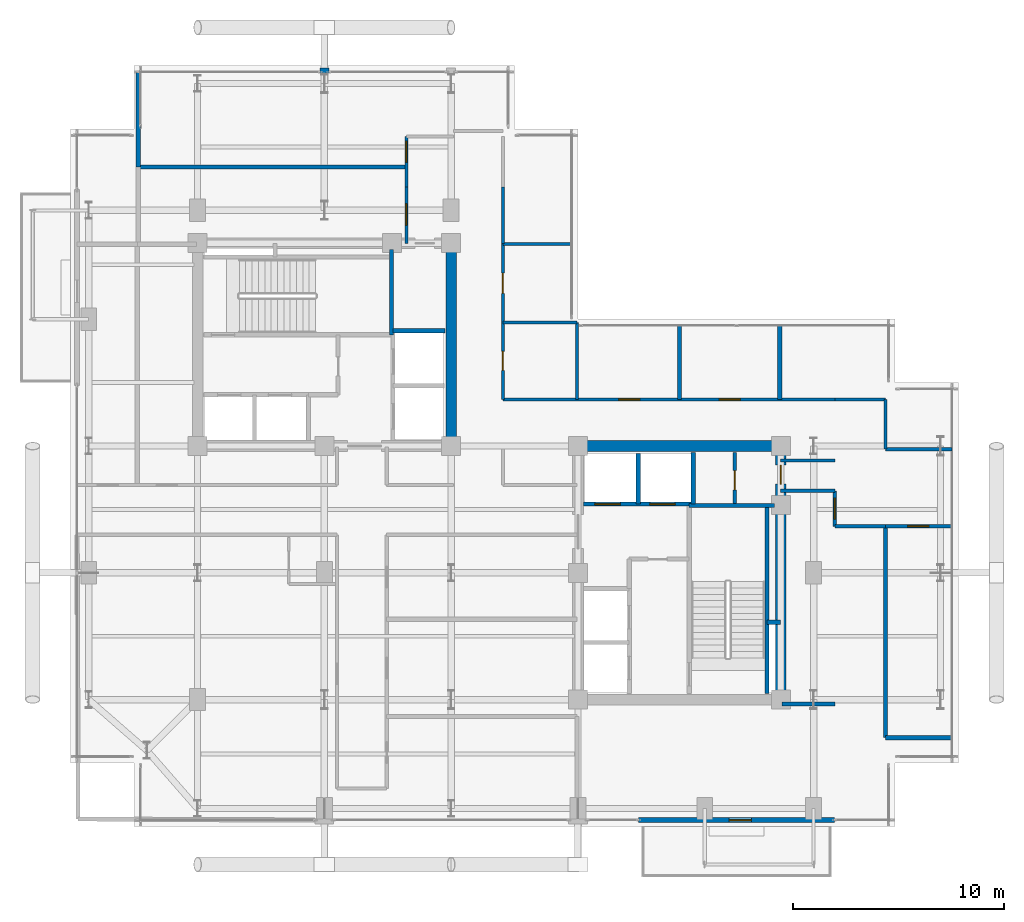
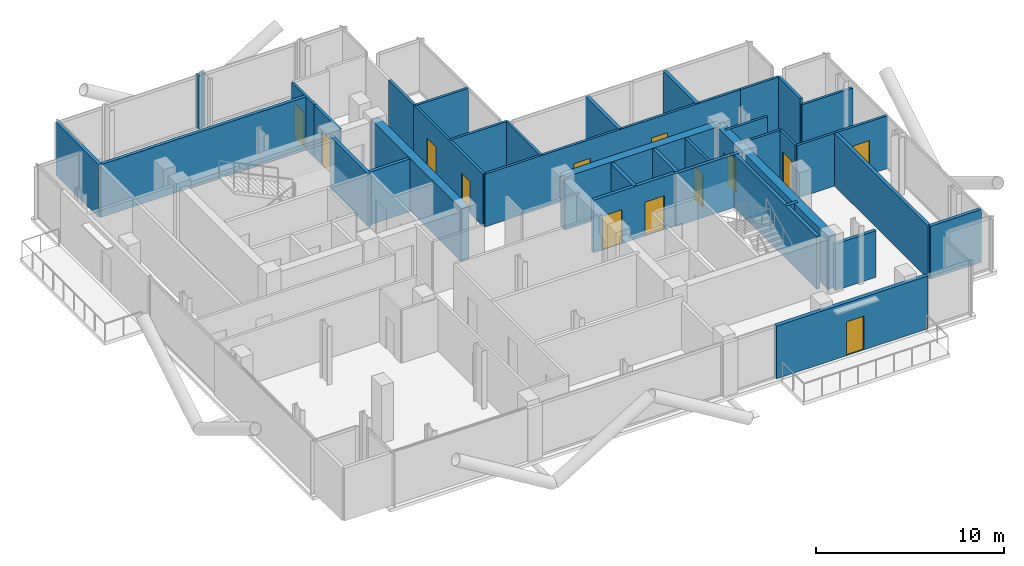
# One storey, part 21 of 25: 37 walls, 13 doors, 13 openings.
"""IFC4 building model written with IfcOpenShell, lengths in metres."""

from ifc_helpers import new_model, si_unit, direction, frame, frame_2d, origin, place, context, subcontext, project, spatial, rectangle, extrude, material, layer, layer_set, type_object, element, fill, save


model = new_model("IFC4")

# Units and contexts
model_context = context("Model", 3, precision=1e-05, world=origin(), true_north=direction((0.0, 1.0)))
body_context = subcontext(model_context, "Body", "Model", "MODEL_VIEW")
ifc_project = project(units=[si_unit("LENGTHUNIT", "METRE"), si_unit("AREAUNIT", "SQUARE_METRE"), si_unit("VOLUMEUNIT", "CUBIC_METRE"), si_unit("PLANEANGLEUNIT", "RADIAN"), si_unit("MASSUNIT", "GRAM", prefix="KILO"), si_unit("THERMODYNAMICTEMPERATUREUNIT", "KELVIN"), si_unit("POWERUNIT", "WATT")], contexts=[model_context])

# Site, building, storey
site_placement = place(None, origin())
site = spatial("IfcSite", under=ifc_project, at=site_placement, CompositionType="ELEMENT")
building_placement = place(site_placement, origin())
building = spatial("IfcBuilding", under=site, at=building_placement, Name="Svarakhadi Broadcast Tower", CompositionType="ELEMENT")
storey_placement = place(building_placement, frame((0.0, 0.0, 231.14990234375)))
storey = spatial("IfcBuildingStorey", under=building, at=storey_placement, Name="L57", CompositionType="ELEMENT", Elevation=231.14990234375)

# Walls
ifc_material_1 = material(Name="Double-Stud Acoustic Studio Partition STC-62", Category="gypsum")
ifc_layer_1 = layer(ifc_material_1, 0.199951171875)
ifc_layer_set_1 = layer_set([ifc_layer_1], Name="Double-Stud Acoustic Studio Partition STC-62")
wall_type_1 = type_object("IfcWallType", Name="Wall_Acoust_200", PredefinedType="PARTITIONING", material=ifc_layer_set_1)
for number, where, z_axis, x_axis, name in (
    (1, (28.800048828125, 20.199951171875, 0.0), (0.0, 0.0, 1.0), (0.0, 1.0, 0.0), "L57 Harbour Sky Club Reading Room Wall"),
    (2, (33.550048828125, 20.199951171875, 0.0), (0.0, 0.0, 1.0), (0.0, 1.0, 0.0), "L57 Private Sommelier Tasting Pantry Wall"),
):
    element("IfcWall", number, at=place(storey_placement, frame(where, z_axis=z_axis, x_axis=x_axis)), inside=storey, type_object=wall_type_1, Name=name, PredefinedType="PARTITIONING", context=body_context, shape_type="SweptSolid", body=[
        extrude(rectangle(XDim=3.5, YDim=0.199951171875, at=frame_2d((1.75, 0.0))), origin(), (0.0, 0.0, 1.0), 3.425048828125),
    ])
wall_1_placement = place(storey_placement, frame((33.64990234375, 5.800048828125, 0.0), z_axis=(0.0, 0.0, 1.0), x_axis=(1.0, 0.0, 0.0)))
element("IfcWall", 3, at=wall_1_placement, inside=storey, type_object=wall_type_1, Name="L57 Harbour Club Reading Salon Wall", PredefinedType="PARTITIONING", context=body_context, shape_type="SweptSolid", body=[
    extrude(rectangle(XDim=2.5, YDim=0.199951171875, at=frame_2d((1.25, 0.0))), origin(), (0.0, 0.0, 1.0), 3.01708984375),
])
wall_2_placement = place(storey_placement, frame((38.550048828125, 4.199951171875, 0.0), z_axis=(0.0, 0.0, 1.0), x_axis=(1.0, 0.0, 0.0)))
element("IfcWall", 4, at=wall_2_placement, inside=storey, type_object=wall_type_1, Name="L57 Sky Wellness Massage Lounge Wall", PredefinedType="PARTITIONING", context=body_context, shape_type="SweptSolid", body=[
    extrude(rectangle(XDim=3.14990234375, YDim=0.199951171875, at=frame_2d((1.574951171875, 0.0))), origin(), (0.0, 0.0, 1.0), 3.425048828125),
])
wall_3_placement = place(storey_placement, frame((38.550048828125, 4.199951171875, 0.0), z_axis=(0.0, 0.0, 1.0), x_axis=(0.0, 1.0, 0.0)))
element("IfcWall", 5, at=wall_3_placement, inside=storey, type_object=wall_type_1, Name="L57 Sky Wellness Massage Lounge Wall", PredefinedType="PARTITIONING", context=body_context, shape_type="SweptSolid", body=[
    extrude(rectangle(XDim=10.0, YDim=0.199951171875, at=frame_2d((5.0, 0.0))), origin(), (0.0, 0.0, 1.0), 3.425048828125),
])
wall_4_placement = place(storey_placement, frame((3.199951171875, 31.199951171875, 0.0), z_axis=(0.0, 0.0, 1.0), x_axis=(1.0, 0.0, 0.0)))
element("IfcWall", 6, at=wall_4_placement, inside=storey, type_object=wall_type_1, Name="L57 Hotel Pilates and Fitness Studio Wall", PredefinedType="PARTITIONING", context=body_context, shape_type="SweptSolid", body=[
    extrude(rectangle(XDim=12.679931640625, YDim=0.199951171875, at=frame_2d((6.33984375, 0.0))), origin(), (0.0, 0.0, 1.0), 3.425048828125),
])
wall_5_placement = place(storey_placement, frame((3.199951171875, 31.199951171875, 0.0), z_axis=(0.0, 0.0, 1.0), x_axis=(0.0, 1.0, 0.0)))
element("IfcWall", 7, at=wall_5_placement, inside=storey, type_object=wall_type_1, Name="L57 Conference Catering Pantry Wall", PredefinedType="PARTITIONING", context=body_context, shape_type="SweptSolid", body=[
    extrude(rectangle(XDim=4.5, YDim=0.199951171875, at=frame_2d((2.25, 0.0))), origin(), (0.0, 0.0, 1.0), 3.425048828125),
])

# Wall, opening, door
ifc_material_2 = material(Name="Concrete C40/50 (IS 456 M50)", Category="concrete")
ifc_layer_2 = layer(ifc_material_2, 0.239990234375)
ifc_layer_set_2 = layer_set([ifc_layer_2], Name="Concrete C40/50 (IS 456 M50)")
wall_type_2 = type_object("IfcWallType", Name="Wall_Ext_240", PredefinedType="SOLIDWALL", material=ifc_layer_set_2)
wall_6_placement = place(storey_placement, frame((36.14501953125, 0.300048828125, 0.0), z_axis=(0.0, 0.0, 1.0), x_axis=(-1.0, 0.0, 0.0)))
wall_6 = element("IfcWall", 8, at=wall_6_placement, inside=storey, type_object=wall_type_2, Name="L57 South Tree Balcony Spandrel Wall", PredefinedType="SOLIDWALL", context=body_context, shape_type="SweptSolid", body=[
    extrude(rectangle(XDim=9.2900390625, YDim=0.239990234375, at=frame_2d((4.64501953125, 0.0))), origin(), (0.0, 0.0, 1.0), 3.425048828125),
])
opening_1_placement = place(wall_6_placement, frame((3.945068359375, 0.0, 0.0)))
opening_1 = element("IfcOpeningElement", 9, at=opening_1_placement, cuts=wall_6, Name="Opening ED-05", PredefinedType="OPENING", context=body_context, shape_type="SweptSolid", body=[
    extrude(rectangle(XDim=1.050048828125, YDim=2.199951171875, at=frame_2d((0.52490234375, 1.10009765625))), frame((0.0, 0.1298828125, 0.0), z_axis=(0.0, -1.0, 0.0), x_axis=(1.0, 0.0, 0.0)), (0.0, 0.0, 1.0), 0.260009765625),
])
ifc_material_3 = material(Name="Anodised Bronze Aluminium AA 6063-T6", Category="aluminium")
door_type_1 = type_object("IfcDoorType", Name="Door_Ext_ED05", OperationType="SINGLE_SWING_LEFT", PredefinedType="DOOR", material=ifc_material_3)
door_1_placement = place(opening_1_placement, origin())
door_1 = element("IfcDoor", 10, at=door_1_placement, inside=storey, type_object=door_type_1, Name="L57 South Tree Balcony Door", OperationType="SINGLE_SWING_LEFT", OverallHeight=2.199951171875, OverallWidth=1.050048828125, PredefinedType="DOOR", context=body_context, shape_type="SweptSolid", body=[
    extrude(rectangle(XDim=1.050048828125, YDim=2.199951171875, at=frame_2d((0.52490234375, 1.10009765625))), frame((0.0, 0.02490234375, 0.0), z_axis=(0.0, -1.0, 0.0), x_axis=(1.0, 0.0, 0.0)), (0.0, 0.0, 1.0), 0.050048828125),
])
fill(opening_1, door_1)

# Walls
wall_7_placement = place(storey_placement, frame((11.784912109375, 35.760009765625, 0.0), z_axis=(0.0, 0.0, 1.0), x_axis=(1.0, 0.0, 0.0)))
element("IfcWall", 11, at=wall_7_placement, inside=storey, type_object=wall_type_2, Name="L57 Perimeter Bronze Spandrel Closure Wall 01", PredefinedType="SOLIDWALL", context=body_context, shape_type="SweptSolid", body=[
    extrude(rectangle(XDim=0.43017578125, YDim=0.239990234375, at=frame_2d((0.215087890625, 0.0))), origin(), (0.0, 0.0, 1.0), 3.425048828125),
])
ifc_layer_3 = layer(ifc_material_2, 0.199951171875)
ifc_layer_set_3 = layer_set([ifc_layer_3], Name="Concrete C40/50 (IS 456 M50)")
wall_type_3 = type_object("IfcWallType", Name="Wall_Fire_200", PredefinedType="SOLIDWALL", material=ifc_layer_set_3)
wall_8_placement = place(storey_placement, frame((32.93994140625, 9.659912109375, 0.0), z_axis=(0.0, 0.0, 1.0), x_axis=(1.0, 0.0, 0.0)))
element("IfcWall", 12, at=wall_8_placement, inside=storey, type_object=wall_type_3, Name="L57 HV Busduct Riser Shaft North Wall", PredefinedType="SOLIDWALL", context=body_context, shape_type="SweptSolid", body=[
    extrude(rectangle(XDim=0.64013671875, YDim=0.199951171875, at=frame_2d((0.320068359375, 0.0))), origin(), (0.0, 0.0, 1.0), 3.425048828125),
])

# Wall, opening, door
ifc_material_4 = material(Name="Autoclaved Aerated Concrete Blockwork 150 mm", Category="masonry")
ifc_layer_4 = layer(ifc_material_4, 0.14990234375)
ifc_layer_set_4 = layer_set([ifc_layer_4], Name="Autoclaved Aerated Concrete Blockwork 150 mm")
wall_type_4 = type_object("IfcWallType", Name="Wall_Part_150", PredefinedType="PARTITIONING", material=ifc_layer_set_4)
wall_9_placement = place(storey_placement, frame((31.419921875, 15.280029296875, 0.0), z_axis=(0.0, 0.0, 1.0), x_axis=(0.0, 1.0, 0.0)))
wall_9 = element("IfcWall", 13, at=wall_9_placement, inside=storey, type_object=wall_type_4, Name="L57 Core Service Split Wall", PredefinedType="PARTITIONING", context=body_context, shape_type="SweptSolid", body=[
    extrude(rectangle(XDim=2.419921875, YDim=0.14990234375, at=frame_2d((1.2099609375, 0.0))), origin(), (0.0, 0.0, 1.0), 3.425048828125),
])
opening_2_placement = place(wall_9_placement, frame((0.64990234375, 0.0, 0.0)))
opening_2 = element("IfcOpeningElement", 14, at=opening_2_placement, cuts=wall_9, Name="Opening D-04", PredefinedType="OPENING", context=body_context, shape_type="SweptSolid", body=[
    extrude(rectangle(XDim=0.89990234375, YDim=2.14990234375, at=frame_2d((0.449951171875, 1.074951171875))), frame((0.0, 0.0849609375, 0.0), z_axis=(0.0, -1.0, 0.0), x_axis=(1.0, 0.0, 0.0)), (0.0, 0.0, 1.0), 0.169921875),
])
ifc_material_5 = material(Name="Galvanised Powder-Coated Fire-Rated Steel Leaf", Category="steel")
door_type_2 = type_object("IfcDoorType", Name="Door_Fire_D04", OperationType="SINGLE_SWING_RIGHT", PredefinedType="DOOR", material=ifc_material_5)
door_2_placement = place(opening_2_placement, origin())
door_2 = element("IfcDoor", 15, at=door_2_placement, inside=storey, type_object=door_type_2, Name="L57 Core Inner Riser Store Door", OperationType="SINGLE_SWING_RIGHT", OverallHeight=2.14990234375, OverallWidth=0.89990234375, PredefinedType="DOOR", context=body_context, shape_type="SweptSolid", body=[
    extrude(rectangle(XDim=0.89990234375, YDim=2.14990234375, at=frame_2d((0.449951171875, 1.074951171875))), frame((0.0, 0.02490234375, 0.0), z_axis=(0.0, -1.0, 0.0), x_axis=(1.0, 0.0, 0.0)), (0.0, 0.0, 1.0), 0.050048828125),
])
fill(opening_2, door_2)

wall_10_placement = place(storey_placement, frame((15.8798828125, 27.580078125, 0.0), z_axis=(0.0, 0.0, 1.0), x_axis=(0.0, 1.0, 0.0)))
wall_10 = element("IfcWall", 16, at=wall_10_placement, inside=storey, type_object=wall_type_4, Name="L57 Upper Tower Concourse Wall", PredefinedType="PARTITIONING", context=body_context, shape_type="SweptSolid", body=[
    extrude(rectangle(XDim=2.669921875, YDim=0.14990234375, at=frame_2d((1.3349609375, 0.0))), origin(), (0.0, 0.0, 1.0), 3.425048828125),
])
opening_3_placement = place(wall_10_placement, frame((0.8701171875, 0.0, 0.0)))
opening_3 = element("IfcOpeningElement", 17, at=opening_3_placement, cuts=wall_10, Name="Opening D-09", PredefinedType="OPENING", context=body_context, shape_type="SweptSolid", body=[
    extrude(rectangle(XDim=1.0, YDim=2.199951171875, at=frame_2d((0.5, 1.10009765625))), frame((0.0, 0.0849609375, 0.0), z_axis=(0.0, -1.0, 0.0), x_axis=(1.0, 0.0, 0.0)), (0.0, 0.0, 1.0), 0.169921875),
])
ifc_material_6 = material(Name="Solid-Core Teak Veneer Acoustic Timber Leaf", Category="wood")
door_type_3 = type_object("IfcDoorType", Name="Door_Suite_D09", OperationType="SINGLE_SWING_RIGHT", PredefinedType="DOOR", material=ifc_material_6)
door_3_placement = place(opening_3_placement, origin())
door_3 = element("IfcDoor", 18, at=door_3_placement, inside=storey, type_object=door_type_3, Name="L57 Hotel Pilates and Fitness Studio Door", OperationType="SINGLE_SWING_RIGHT", OverallHeight=2.199951171875, OverallWidth=1.0, PredefinedType="DOOR", context=body_context, shape_type="SweptSolid", body=[
    extrude(rectangle(XDim=1.0, YDim=2.199951171875, at=frame_2d((0.5, 1.10009765625))), frame((0.0, 0.02490234375, 0.0), z_axis=(0.0, -1.0, 0.0), x_axis=(1.0, 0.0, 0.0)), (0.0, 0.0, 1.0), 0.050048828125),
])
fill(opening_3, door_3)

wall_11_placement = place(storey_placement, frame((15.8798828125, 30.25, 0.0), z_axis=(0.0, 0.0, 1.0), x_axis=(0.0, 1.0, 0.0)))
wall_11 = element("IfcWall", 19, at=wall_11_placement, inside=storey, type_object=wall_type_4, Name="L57 Upper Tower Concourse Wall", PredefinedType="PARTITIONING", context=body_context, shape_type="SweptSolid", body=[
    extrude(rectangle(XDim=2.39990234375, YDim=0.14990234375, at=frame_2d((1.199951171875, 0.0))), origin(), (0.0, 0.0, 1.0), 3.425048828125),
])
opening_4_placement = place(wall_11_placement, frame((1.175048828125, 0.0, 0.0)))
opening_4 = element("IfcOpeningElement", 20, at=opening_4_placement, cuts=wall_11, Name="Opening D-09", PredefinedType="OPENING", context=body_context, shape_type="SweptSolid", body=[
    extrude(rectangle(XDim=1.0, YDim=2.199951171875, at=frame_2d((0.5, 1.10009765625))), frame((0.0, 0.0849609375, 0.0), z_axis=(0.0, -1.0, 0.0), x_axis=(1.0, 0.0, 0.0)), (0.0, 0.0, 1.0), 0.169921875),
])
door_4_placement = place(opening_4_placement, origin())
door_4 = element("IfcDoor", 21, at=door_4_placement, inside=storey, type_object=door_type_3, Name="L57 Conference Catering Pantry Door", OperationType="SINGLE_SWING_RIGHT", OverallHeight=2.199951171875, OverallWidth=1.0, PredefinedType="DOOR", context=body_context, shape_type="SweptSolid", body=[
    extrude(rectangle(XDim=1.0, YDim=2.199951171875, at=frame_2d((0.5, 1.10009765625))), frame((0.0, 0.02490234375, 0.0), z_axis=(0.0, -1.0, 0.0), x_axis=(1.0, 0.0, 0.0)), (0.0, 0.0, 1.0), 0.050048828125),
])
fill(opening_4, door_4)

# Wall
wall_12_placement = place(storey_placement, frame((20.449951171875, 30.25, 0.0), z_axis=(0.0, 0.0, 1.0), x_axis=(0.0, -1.0, 0.0)))
element("IfcWall", 22, at=wall_12_placement, inside=storey, type_object=wall_type_4, Name="L57 Upper Tower Concourse Wall", PredefinedType="PARTITIONING", context=body_context, shape_type="SweptSolid", body=[
    extrude(rectangle(XDim=2.669921875, YDim=0.14990234375, at=frame_2d((1.3349609375, 0.0))), origin(), (0.0, 0.0, 1.0), 3.425048828125),
])

# Wall, openings, doors
wall_13_placement = place(storey_placement, frame((20.449951171875, 27.580078125, 0.0), z_axis=(0.0, 0.0, 1.0), x_axis=(0.0, -1.0, 0.0)))
wall_13 = element("IfcWall", 23, at=wall_13_placement, inside=storey, type_object=wall_type_4, Name="L57 Upper Tower Concourse Wall", PredefinedType="PARTITIONING", context=body_context, shape_type="SweptSolid", body=[
    extrude(rectangle(XDim=7.380126953125, YDim=0.14990234375, at=frame_2d((3.68994140625, 0.0))), origin(), (0.0, 0.0, 1.0), 3.425048828125),
])
opening_5_placement = place(wall_13_placement, frame((5.10498046875, 0.0, 0.0)))
opening_5 = element("IfcOpeningElement", 24, at=opening_5_placement, cuts=wall_13, Name="Opening D-12", PredefinedType="OPENING", context=body_context, shape_type="SweptSolid", body=[
    extrude(rectangle(XDim=0.89990234375, YDim=2.10009765625, at=frame_2d((0.449951171875, 1.050048828125))), frame((0.0, 0.0849609375, 0.0), z_axis=(0.0, -1.0, 0.0), x_axis=(1.0, 0.0, 0.0)), (0.0, 0.0, 1.0), 0.169921875),
])
opening_6_placement = place(wall_13_placement, frame((1.405029296875, 0.0, 0.0)))
opening_6 = element("IfcOpeningElement", 25, at=opening_6_placement, cuts=wall_13, Name="Opening D-07", PredefinedType="OPENING", context=body_context, shape_type="SweptSolid", body=[
    extrude(rectangle(XDim=0.949951171875, YDim=2.14990234375, at=frame_2d((0.47509765625, 1.074951171875))), frame((0.0, 0.0849609375, 0.0), z_axis=(0.0, -1.0, 0.0), x_axis=(1.0, 0.0, 0.0)), (0.0, 0.0, 1.0), 0.169921875),
])
door_type_4 = type_object("IfcDoorType", Name="Door_Office_D07", OperationType="SINGLE_SWING_RIGHT", PredefinedType="DOOR", material=ifc_material_6)
door_5_placement = place(opening_6_placement, origin())
door_5 = element("IfcDoor", 26, at=door_5_placement, inside=storey, type_object=door_type_4, Name="L57 Hotel Butler Service Pantry Door", OperationType="SINGLE_SWING_RIGHT", OverallHeight=2.14990234375, OverallWidth=0.949951171875, PredefinedType="DOOR", context=body_context, shape_type="SweptSolid", body=[
    extrude(rectangle(XDim=0.949951171875, YDim=2.14990234375, at=frame_2d((0.47509765625, 1.074951171875))), frame((0.0, 0.02490234375, 0.0), z_axis=(0.0, -1.0, 0.0), x_axis=(1.0, 0.0, 0.0)), (0.0, 0.0, 1.0), 0.050048828125),
])
fill(opening_6, door_5)
door_type_5 = type_object("IfcDoorType", Name="Door_WC_D01", OperationType="SINGLE_SWING_LEFT", PredefinedType="DOOR", material=ifc_material_6)
door_6_placement = place(opening_5_placement, origin())
door_6 = element("IfcDoor", 27, at=door_6_placement, inside=storey, type_object=door_type_5, Name="L57 Accessible Visitor Washroom WC Door", OperationType="SINGLE_SWING_LEFT", OverallHeight=2.10009765625, OverallWidth=0.89990234375, PredefinedType="DOOR", context=body_context, shape_type="SweptSolid", body=[
    extrude(rectangle(XDim=0.89990234375, YDim=2.10009765625, at=frame_2d((0.449951171875, 1.050048828125))), frame((0.0, 0.02490234375, 0.0), z_axis=(0.0, -1.0, 0.0), x_axis=(1.0, 0.0, 0.0)), (0.0, 0.0, 1.0), 0.050048828125),
])
fill(opening_5, door_6)

wall_14_placement = place(storey_placement, frame((20.449951171875, 20.199951171875, 0.0), z_axis=(0.0, 0.0, 1.0), x_axis=(1.0, 0.0, 0.0)))
wall_14 = element("IfcWall", 28, at=wall_14_placement, inside=storey, type_object=wall_type_4, Name="L57 Upper Tower Concourse Wall", PredefinedType="PARTITIONING", context=body_context, shape_type="SweptSolid", body=[
    extrude(rectangle(XDim=15.699951171875, YDim=0.14990234375, at=frame_2d((7.85009765625, 0.0))), origin(), (0.0, 0.0, 1.0), 3.425048828125),
])
opening_7_placement = place(wall_14_placement, frame((5.47509765625, 0.0, 0.0)))
opening_7 = element("IfcOpeningElement", 29, at=opening_7_placement, cuts=wall_14, Name="Opening D-08", PredefinedType="OPENING", context=body_context, shape_type="SweptSolid", body=[
    extrude(rectangle(XDim=1.0, YDim=2.199951171875, at=frame_2d((0.5, 1.10009765625))), frame((0.0, 0.0849609375, 0.0), z_axis=(0.0, -1.0, 0.0), x_axis=(1.0, 0.0, 0.0)), (0.0, 0.0, 1.0), 0.169921875),
])
opening_8_placement = place(wall_14_placement, frame((10.22509765625, 0.0, 0.0)))
opening_8 = element("IfcOpeningElement", 30, at=opening_8_placement, cuts=wall_14, Name="Opening D-09", PredefinedType="OPENING", context=body_context, shape_type="SweptSolid", body=[
    extrude(rectangle(XDim=1.0, YDim=2.199951171875, at=frame_2d((0.5, 1.10009765625))), frame((0.0, 0.0849609375, 0.0), z_axis=(0.0, -1.0, 0.0), x_axis=(1.0, 0.0, 0.0)), (0.0, 0.0, 1.0), 0.169921875),
])
door_type_6 = type_object("IfcDoorType", Name="Door_Suite_D08", OperationType="SINGLE_SWING_LEFT", PredefinedType="DOOR", material=ifc_material_6)
door_7_placement = place(opening_7_placement, origin())
door_7 = element("IfcDoor", 31, at=door_7_placement, inside=storey, type_object=door_type_6, Name="L57 Harbour Sky Club Reading Room Door", OperationType="SINGLE_SWING_LEFT", OverallHeight=2.199951171875, OverallWidth=1.0, PredefinedType="DOOR", context=body_context, shape_type="SweptSolid", body=[
    extrude(rectangle(XDim=1.0, YDim=2.199951171875, at=frame_2d((0.5, 1.10009765625))), frame((0.0, 0.02490234375, 0.0), z_axis=(0.0, -1.0, 0.0), x_axis=(1.0, 0.0, 0.0)), (0.0, 0.0, 1.0), 0.050048828125),
])
fill(opening_7, door_7)
door_8_placement = place(opening_8_placement, origin())
door_8 = element("IfcDoor", 32, at=door_8_placement, inside=storey, type_object=door_type_3, Name="L57 Private Sommelier Tasting Pantry Door", OperationType="SINGLE_SWING_RIGHT", OverallHeight=2.199951171875, OverallWidth=1.0, PredefinedType="DOOR", context=body_context, shape_type="SweptSolid", body=[
    extrude(rectangle(XDim=1.0, YDim=2.199951171875, at=frame_2d((0.5, 1.10009765625))), frame((0.0, 0.02490234375, 0.0), z_axis=(0.0, -1.0, 0.0), x_axis=(1.0, 0.0, 0.0)), (0.0, 0.0, 1.0), 0.050048828125),
])
fill(opening_8, door_8)

# Walls
wall_15_placement = place(storey_placement, frame((36.14990234375, 20.199951171875, 0.0), z_axis=(0.0, 0.0, 1.0), x_axis=(1.0, 0.0, 0.0)))
element("IfcWall", 33, at=wall_15_placement, inside=storey, type_object=wall_type_4, Name="L57 Upper Tower Concourse Wall", PredefinedType="PARTITIONING", context=body_context, shape_type="SweptSolid", body=[
    extrude(rectangle(XDim=2.400146484375, YDim=0.14990234375, at=frame_2d((1.2001953125, 0.0))), origin(), (0.0, 0.0, 1.0), 3.425048828125),
])
wall_16_placement = place(storey_placement, frame((38.550048828125, 20.199951171875, 0.0), z_axis=(0.0, 0.0, 1.0), x_axis=(0.0, -1.0, 0.0)))
element("IfcWall", 34, at=wall_16_placement, inside=storey, type_object=wall_type_4, Name="L57 Upper Tower Concourse Wall", PredefinedType="PARTITIONING", context=body_context, shape_type="SweptSolid", body=[
    extrude(rectangle(XDim=2.349853515625, YDim=0.14990234375, at=frame_2d((1.1748046875, 0.0))), origin(), (0.0, 0.0, 1.0), 3.425048828125),
])
wall_17_placement = place(storey_placement, frame((38.550048828125, 17.85009765625, 0.0), z_axis=(0.0, 0.0, 1.0), x_axis=(1.0, 0.0, 0.0)))
element("IfcWall", 35, at=wall_17_placement, inside=storey, type_object=wall_type_4, Name="L57 Upper Tower Concourse Wall", PredefinedType="PARTITIONING", context=body_context, shape_type="SweptSolid", body=[
    extrude(rectangle(XDim=3.14990234375, YDim=0.14990234375, at=frame_2d((1.574951171875, 0.0))), origin(), (0.0, 0.0, 1.0), 3.01708984375),
])

# Wall, opening, door
wall_18_placement = place(storey_placement, frame((41.699951171875, 14.199951171875, 0.0), z_axis=(0.0, 0.0, 1.0), x_axis=(-1.0, 0.0, 0.0)))
wall_18 = element("IfcWall", 36, at=wall_18_placement, inside=storey, type_object=wall_type_4, Name="L57 Upper Tower Concourse Wall", PredefinedType="PARTITIONING", context=body_context, shape_type="SweptSolid", body=[
    extrude(rectangle(XDim=3.14990234375, YDim=0.14990234375, at=frame_2d((1.574951171875, 0.0))), origin(), (0.0, 0.0, 1.0), 3.425048828125),
])
opening_9_placement = place(wall_18_placement, frame((1.10009765625, 0.0, 0.0)))
opening_9 = element("IfcOpeningElement", 37, at=opening_9_placement, cuts=wall_18, Name="Opening D-08", PredefinedType="OPENING", context=body_context, shape_type="SweptSolid", body=[
    extrude(rectangle(XDim=1.0, YDim=2.199951171875, at=frame_2d((0.5, 1.10009765625))), frame((0.0, 0.0849609375, 0.0), z_axis=(0.0, -1.0, 0.0), x_axis=(1.0, 0.0, 0.0)), (0.0, 0.0, 1.0), 0.169921875),
])
door_9_placement = place(opening_9_placement, origin())
door_9 = element("IfcDoor", 38, at=door_9_placement, inside=storey, type_object=door_type_6, Name="L57 Sky Wellness Massage Lounge Door", OperationType="SINGLE_SWING_LEFT", OverallHeight=2.199951171875, OverallWidth=1.0, PredefinedType="DOOR", context=body_context, shape_type="SweptSolid", body=[
    extrude(rectangle(XDim=1.0, YDim=2.199951171875, at=frame_2d((0.5, 1.10009765625))), frame((0.0, 0.02490234375, 0.0), z_axis=(0.0, -1.0, 0.0), x_axis=(1.0, 0.0, 0.0)), (0.0, 0.0, 1.0), 0.050048828125),
])
fill(opening_9, door_9)

# Wall
wall_19_placement = place(storey_placement, frame((38.550048828125, 14.199951171875, 0.0), z_axis=(0.0, 0.0, 1.0), x_axis=(-1.0, 0.0, 0.0)))
element("IfcWall", 39, at=wall_19_placement, inside=storey, type_object=wall_type_4, Name="L57 Upper Tower Concourse Wall", PredefinedType="PARTITIONING", context=body_context, shape_type="SweptSolid", body=[
    extrude(rectangle(XDim=2.400146484375, YDim=0.14990234375, at=frame_2d((1.2001953125, 0.0))), origin(), (0.0, 0.0, 1.0), 3.425048828125),
])

# Wall, opening, door
wall_20_placement = place(storey_placement, frame((36.14990234375, 14.199951171875, 0.0), z_axis=(0.0, 0.0, 1.0), x_axis=(0.0, 1.0, 0.0)))
wall_20 = element("IfcWall", 40, at=wall_20_placement, inside=storey, type_object=wall_type_4, Name="L57 Upper Tower Concourse Wall", PredefinedType="PARTITIONING", context=body_context, shape_type="SweptSolid", body=[
    extrude(rectangle(XDim=1.679931640625, YDim=0.14990234375, at=frame_2d((0.83984375, 0.0))), origin(), (0.0, 0.0, 1.0), 3.425048828125),
])
opening_10_placement = place(wall_20_placement, frame((0.340087890625, 0.0, 0.0)))
opening_10 = element("IfcOpeningElement", 41, at=opening_10_placement, cuts=wall_20, Name="Opening D-09", PredefinedType="OPENING", context=body_context, shape_type="SweptSolid", body=[
    extrude(rectangle(XDim=1.0, YDim=2.199951171875, at=frame_2d((0.5, 1.10009765625))), frame((0.0, 0.0849609375, 0.0), z_axis=(0.0, -1.0, 0.0), x_axis=(1.0, 0.0, 0.0)), (0.0, 0.0, 1.0), 0.169921875),
])
door_10_placement = place(opening_10_placement, origin())
door_10 = element("IfcDoor", 42, at=door_10_placement, inside=storey, type_object=door_type_3, Name="L57 Harbour Club Reading Salon Door", OperationType="SINGLE_SWING_RIGHT", OverallHeight=2.199951171875, OverallWidth=1.0, PredefinedType="DOOR", context=body_context, shape_type="SweptSolid", body=[
    extrude(rectangle(XDim=1.0, YDim=2.199951171875, at=frame_2d((0.5, 1.10009765625))), frame((0.0, 0.02490234375, 0.0), z_axis=(0.0, -1.0, 0.0), x_axis=(1.0, 0.0, 0.0)), (0.0, 0.0, 1.0), 0.050048828125),
])
fill(opening_10, door_10)

# Walls
for number, where, z_axis, x_axis, name in (
    (43, (36.14990234375, 15.8798828125, 0.0), (0.0, 0.0, 1.0), (-1.0, 0.0, 0.0), "L57 Upper Tower Concourse Wall"),
    (44, (33.580078125, 17.320068359375, 0.0), (0.0, 0.0, 1.0), (1.0, 0.0, 0.0), "L57 Upper Tower Concourse Wall"),
):
    element("IfcWall", number, at=place(storey_placement, frame(where, z_axis=z_axis, x_axis=x_axis)), inside=storey, type_object=wall_type_4, Name=name, PredefinedType="PARTITIONING", context=body_context, shape_type="SweptSolid", body=[
        extrude(rectangle(XDim=2.56982421875, YDim=0.14990234375, at=frame_2d((1.284912109375, 0.0))), origin(), (0.0, 0.0, 1.0), 3.425048828125),
    ])
wall_21_placement = place(storey_placement, frame((20.449951171875, 23.85009765625, 0.0), z_axis=(0.0, 0.0, 1.0), x_axis=(1.0, 0.0, 0.0)))
element("IfcWall", 45, at=wall_21_placement, inside=storey, type_object=wall_type_4, Name="L57 Accessible Visitor Washroom WC Wall", PredefinedType="PARTITIONING", context=body_context, shape_type="SweptSolid", body=[
    extrude(rectangle(XDim=3.5, YDim=0.14990234375, at=frame_2d((1.75, 0.0))), origin(), (0.0, 0.0, 1.0), 3.425048828125),
])
wall_22_placement = place(storey_placement, frame((23.949951171875, 20.199951171875, 0.0), z_axis=(0.0, 0.0, 1.0), x_axis=(0.0, 1.0, 0.0)))
element("IfcWall", 46, at=wall_22_placement, inside=storey, type_object=wall_type_4, Name="L57 Accessible Visitor Washroom WC Wall", PredefinedType="PARTITIONING", context=body_context, shape_type="SweptSolid", body=[
    extrude(rectangle(XDim=3.650146484375, YDim=0.14990234375, at=frame_2d((1.8251953125, 0.0))), origin(), (0.0, 0.0, 1.0), 3.425048828125),
])
wall_23_placement = place(storey_placement, frame((20.449951171875, 27.550048828125, 0.0), z_axis=(0.0, 0.0, 1.0), x_axis=(1.0, 0.0, 0.0)))
element("IfcWall", 47, at=wall_23_placement, inside=storey, type_object=wall_type_4, Name="L57 Hotel Butler Service Pantry Wall", PredefinedType="PARTITIONING", context=body_context, shape_type="SweptSolid", body=[
    extrude(rectangle(XDim=3.25, YDim=0.14990234375, at=frame_2d((1.625, 0.0))), origin(), (0.0, 0.0, 1.0), 3.425048828125),
])
ifc_material_7 = material(Name="Concrete C50/60 (IS 456 M60)", Category="concrete")
ifc_layer_5 = layer(ifc_material_7, 0.199951171875)
ifc_layer_set_5 = layer_set([ifc_layer_5], Name="Concrete C50/60 (IS 456 M60)")
wall_type_5 = type_object("IfcWallType", Name="Wall_Shear_200", PredefinedType="SHEAR", material=ifc_layer_set_5)
wall_24_placement = place(storey_placement, frame((15.179931640625, 23.260009765625, 0.0), z_axis=(0.0, 0.0, 1.0), x_axis=(0.0, 1.0, 0.0)))
element("IfcWall", 48, at=wall_24_placement, inside=storey, type_object=wall_type_5, Name="L57 Stair ST-01 East RC Shaft Wall", PredefinedType="SHEAR", context=body_context, shape_type="SweptSolid", body=[
    extrude(rectangle(XDim=4.0400390625, YDim=0.199951171875, at=frame_2d((2.02001953125, 0.0))), origin(), (0.0, 0.0, 1.0), 3.425048828125),
])
wall_25_placement = place(storey_placement, frame((32.93994140625, 6.300048828125, 0.0), z_axis=(0.0, 0.0, 1.0), x_axis=(0.0, 1.0, 0.0)))
element("IfcWall", 49, at=wall_25_placement, inside=storey, type_object=wall_type_5, Name="L57 Stair ST-02 East RC Shaft Wall", PredefinedType="SHEAR", context=body_context, shape_type="SweptSolid", body=[
    extrude(rectangle(XDim=8.8798828125, YDim=0.199951171875, at=frame_2d((4.43994140625, 0.0))), origin(), (0.0, 0.0, 1.0), 3.425048828125),
])
wall_26_placement = place(storey_placement, frame((29.260009765625, 15.179931640625, 0.0), z_axis=(0.0, 0.0, 1.0), x_axis=(1.0, 0.0, 0.0)))
element("IfcWall", 50, at=wall_26_placement, inside=storey, type_object=wall_type_5, Name="L57 Stair ST-02 North RC Shaft Wall", PredefinedType="SHEAR", context=body_context, shape_type="SweptSolid", body=[
    extrude(rectangle(XDim=4.0400390625, YDim=0.199951171875, at=frame_2d((2.02001953125, 0.0))), origin(), (0.0, 0.0, 1.0), 3.425048828125),
])
wall_27_placement = place(storey_placement, frame((15.25, 23.449951171875, 0.0), z_axis=(0.0, 0.0, 1.0), x_axis=(1.0, 0.0, 0.0)))
element("IfcWall", 51, at=wall_27_placement, inside=storey, type_object=wall_type_5, Name="L57 High-Rise Lift LF-13/14 North Wall", PredefinedType="SHEAR", context=body_context, shape_type="SweptSolid", body=[
    extrude(rectangle(XDim=2.449951171875, YDim=0.199951171875, at=frame_2d((1.22509765625, 0.0))), origin(), (0.0, 0.0, 1.0), 3.425048828125),
])

# Wall, openings, doors
wall_28_placement = place(storey_placement, frame((24.25, 15.25, 0.0), z_axis=(0.0, 0.0, 1.0), x_axis=(1.0, 0.0, 0.0)))
wall_28 = element("IfcWall", 52, at=wall_28_placement, inside=storey, type_object=wall_type_5, Name="L57 High-Rise Lift LF-15/16 South Shaft Wall", PredefinedType="SHEAR", context=body_context, shape_type="SweptSolid", body=[
    extrude(rectangle(XDim=5.199951171875, YDim=0.199951171875, at=frame_2d((2.60009765625, 0.0))), origin(), (0.0, 0.0, 1.0), 3.425048828125),
])
opening_11_placement = place(wall_28_placement, frame((0.550048828125, 0.0, 0.0)))
opening_11 = element("IfcOpeningElement", 53, at=opening_11_placement, cuts=wall_28, Name="Opening LD-02", PredefinedType="OPENING", context=body_context, shape_type="SweptSolid", body=[
    extrude(rectangle(XDim=1.199951171875, YDim=2.199951171875, at=frame_2d((0.60009765625, 1.10009765625))), frame((0.0, 0.10986328125, 0.0), z_axis=(0.0, -1.0, 0.0), x_axis=(1.0, 0.0, 0.0)), (0.0, 0.0, 1.0), 0.219970703125),
])
opening_12_placement = place(wall_28_placement, frame((3.14990234375, 0.0, 0.0)))
opening_12 = element("IfcOpeningElement", 54, at=opening_12_placement, cuts=wall_28, Name="Opening LD-02", PredefinedType="OPENING", context=body_context, shape_type="SweptSolid", body=[
    extrude(rectangle(XDim=1.199951171875, YDim=2.199951171875, at=frame_2d((0.60009765625, 1.10009765625))), frame((0.0, 0.10986328125, 0.0), z_axis=(0.0, -1.0, 0.0), x_axis=(1.0, 0.0, 0.0)), (0.0, 0.0, 1.0), 0.219970703125),
])
door_type_7 = type_object("IfcDoorType", Name="Door_Lift_LD02", OperationType="SLIDING_TO_RIGHT", PredefinedType="DOOR", material=ifc_material_5)
door_11_placement = place(opening_11_placement, origin())
door_11 = element("IfcDoor", 55, at=door_11_placement, inside=storey, type_object=door_type_7, Name="L57 High-Rise Lift LF-15 Landing Door", OperationType="SLIDING_TO_RIGHT", OverallHeight=2.199951171875, OverallWidth=1.199951171875, PredefinedType="DOOR", context=body_context, shape_type="SweptSolid", body=[
    extrude(rectangle(XDim=1.199951171875, YDim=2.199951171875, at=frame_2d((0.60009765625, 1.10009765625))), frame((0.0, 0.02490234375, 0.0), z_axis=(0.0, -1.0, 0.0), x_axis=(1.0, 0.0, 0.0)), (0.0, 0.0, 1.0), 0.050048828125),
])
fill(opening_11, door_11)
door_12_placement = place(opening_12_placement, origin())
door_12 = element("IfcDoor", 56, at=door_12_placement, inside=storey, type_object=door_type_7, Name="L57 High-Rise Lift LF-16 Landing Door", OperationType="SLIDING_TO_RIGHT", OverallHeight=2.199951171875, OverallWidth=1.199951171875, PredefinedType="DOOR", context=body_context, shape_type="SweptSolid", body=[
    extrude(rectangle(XDim=1.199951171875, YDim=2.199951171875, at=frame_2d((0.60009765625, 1.10009765625))), frame((0.0, 0.02490234375, 0.0), z_axis=(0.0, -1.0, 0.0), x_axis=(1.0, 0.0, 0.0)), (0.0, 0.0, 1.0), 0.050048828125),
])
fill(opening_12, door_12)

# Walls
wall_29_placement = place(storey_placement, frame((26.85009765625, 15.25, 0.0), z_axis=(0.0, 0.0, 1.0), x_axis=(0.0, 1.0, 0.0)))
element("IfcWall", 57, at=wall_29_placement, inside=storey, type_object=wall_type_5, Name="L57 High-Rise Lift LF-15/16 Divider", PredefinedType="SHEAR", context=body_context, shape_type="SweptSolid", body=[
    extrude(rectangle(XDim=2.39990234375, YDim=0.199951171875, at=frame_2d((1.199951171875, 0.0))), origin(), (0.0, 0.0, 1.0), 3.425048828125),
])
wall_30_placement = place(storey_placement, frame((29.449951171875, 15.25, 0.0), z_axis=(0.0, 0.0, 1.0), x_axis=(0.0, 1.0, 0.0)))
element("IfcWall", 58, at=wall_30_placement, inside=storey, type_object=wall_type_5, Name="L57 High-Rise Lift LF-15/16 East Wall", PredefinedType="SHEAR", context=body_context, shape_type="SweptSolid", body=[
    extrude(rectangle(XDim=2.449951171875, YDim=0.199951171875, at=frame_2d((1.22509765625, 0.0))), origin(), (0.0, 0.0, 1.0), 3.425048828125),
])
ifc_layer_6 = layer(ifc_material_7, 0.5)
ifc_layer_set_6 = layer_set([ifc_layer_6], Name="Concrete C50/60 (IS 456 M60)")
wall_type_6 = type_object("IfcWallType", Name="Wall_Shear_500", PredefinedType="SHEAR", material=ifc_layer_set_6)
for number, where, z_axis, x_axis, name in (
    (59, (18.0, 18.0, 0.0), (0.0, 0.0, 1.0), (0.0, 1.0, 0.0), "L57 West Core East Shear Wall"),
    (60, (24.0, 18.0, 0.0), (0.0, 0.0, 1.0), (1.0, 0.0, 0.0), "L57 East Core North Shear Wall"),
):
    element("IfcWall", number, at=place(storey_placement, frame(where, z_axis=z_axis, x_axis=x_axis)), inside=storey, type_object=wall_type_6, Name=name, PredefinedType="SHEAR", context=body_context, shape_type="SweptSolid", body=[
        extrude(rectangle(XDim=9.60009765625, YDim=0.5, at=frame_2d((4.800048828125, 0.0))), origin(), (0.0, 0.0, 1.0), 3.425048828125),
    ])

# Wall, opening, door
wall_31_placement = place(storey_placement, frame((33.60009765625, 6.0, 0.0), z_axis=(0.0, 0.0, 1.0), x_axis=(0.0, 1.0, 0.0)))
wall_31 = element("IfcWall", 61, at=wall_31_placement, inside=storey, type_object=wall_type_6, Name="L57 East Core East Shear Wall", PredefinedType="SHEAR", context=body_context, shape_type="SweptSolid", body=[
    extrude(rectangle(XDim=12.0, YDim=0.5, at=frame_2d((6.0, 0.0))), origin(), (0.0, 0.0, 1.0), 3.425048828125),
])
opening_13_placement = place(wall_31_placement, frame((10.199951171875, 0.0, 0.0)))
opening_13 = element("IfcOpeningElement", 62, at=opening_13_placement, cuts=wall_31, Name="Opening D-03", PredefinedType="OPENING", context=body_context, shape_type="SweptSolid", body=[
    extrude(rectangle(XDim=0.89990234375, YDim=2.14990234375, at=frame_2d((0.449951171875, 1.074951171875))), frame((0.0, 0.260009765625, 0.0), z_axis=(0.0, -1.0, 0.0), x_axis=(1.0, 0.0, 0.0)), (0.0, 0.0, 1.0), 0.52001953125),
])
door_type_8 = type_object("IfcDoorType", Name="Door_Fire_D03", OperationType="SINGLE_SWING_LEFT", PredefinedType="DOOR", material=ifc_material_5)
door_13_placement = place(opening_13_placement, origin())
door_13 = element("IfcDoor", 63, at=door_13_placement, inside=storey, type_object=door_type_8, Name="L57 Core Outer Service Store Door", OperationType="SINGLE_SWING_LEFT", OverallHeight=2.14990234375, OverallWidth=0.89990234375, PredefinedType="DOOR", context=body_context, shape_type="SweptSolid", body=[
    extrude(rectangle(XDim=0.89990234375, YDim=2.14990234375, at=frame_2d((0.449951171875, 1.074951171875))), frame((0.0, 0.02490234375, 0.0), z_axis=(0.0, -1.0, 0.0), x_axis=(1.0, 0.0, 0.0)), (0.0, 0.0, 1.0), 0.050048828125),
])
fill(opening_13, door_13)

save(model, "model.ifc")
